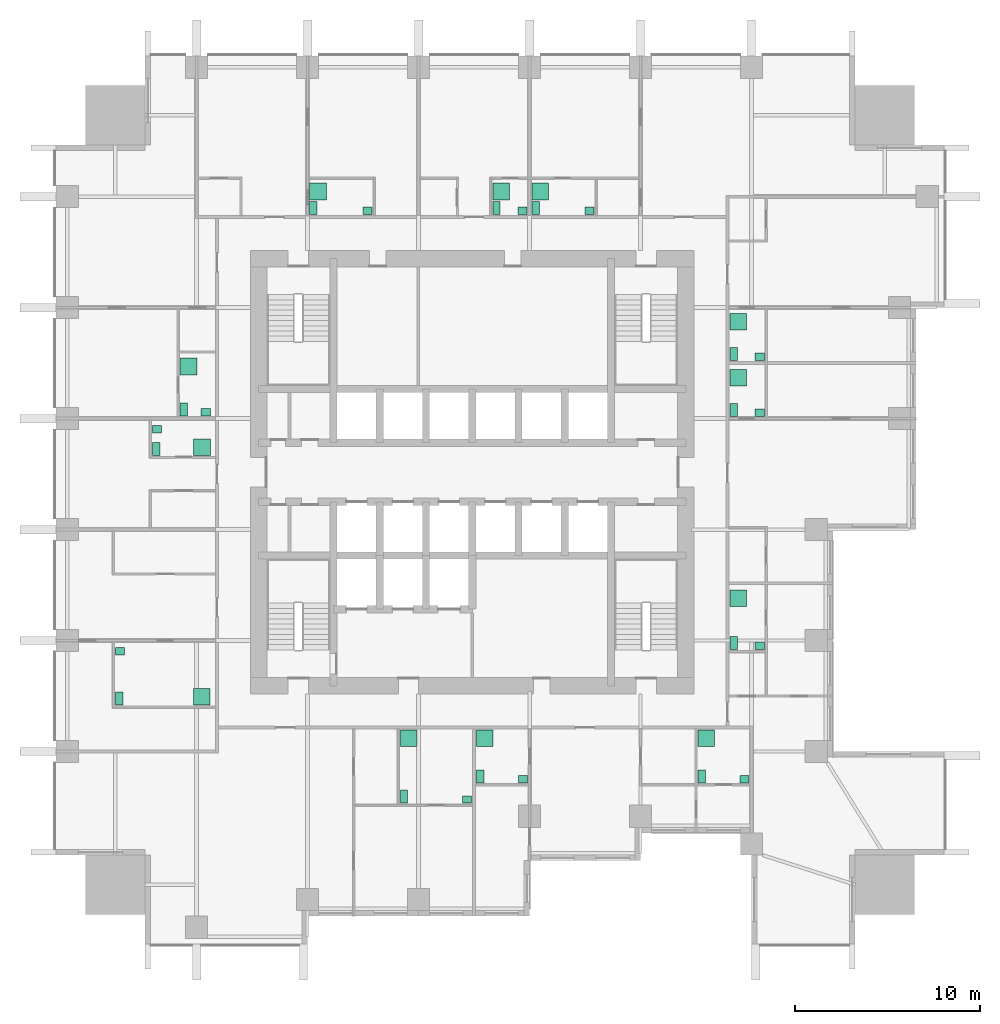
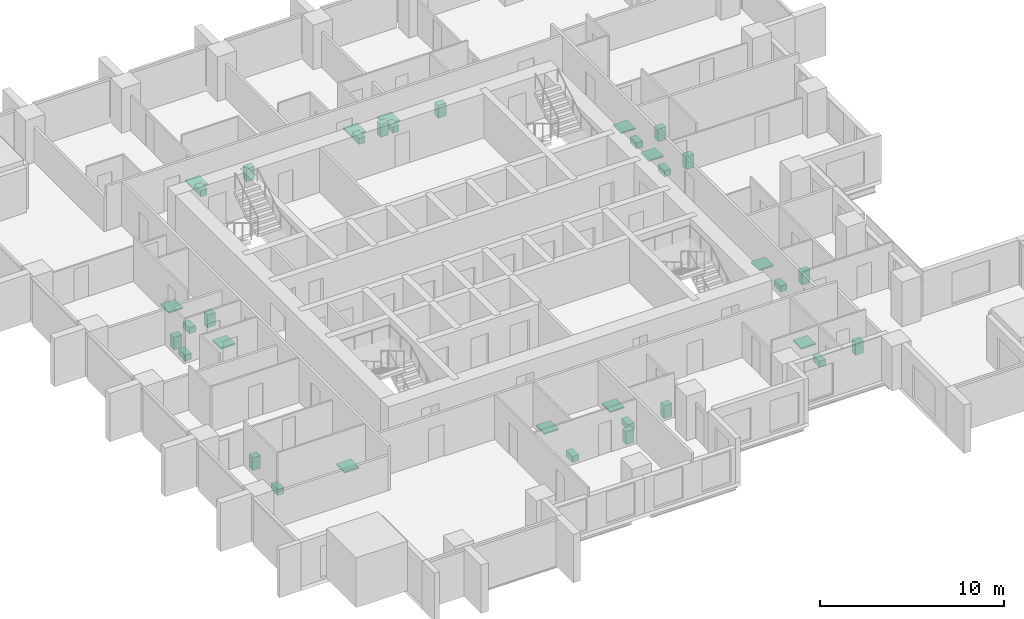
# One storey, part 10 of 10: 36 sanitary terminals.
"""IFC4 building model written with IfcOpenShell, lengths in metres."""

import ifcopenshell
import ifcopenshell.guid

model = None  # the IFC model being written
_history = None  # IfcOwnerHistory: only IFC2X3 demands one
_inside = {}  # id of a spatial element -> (the spatial element, [elements in it])
_under = {}  # id of a project, library or spatial element -> (it, [spatial elements below it])
_declared = {}  # id of a project -> (the project, [libraries it declares])
_typed = {}  # id of a type object -> (the type object, [elements of that type])
_made_of = {}  # id of a material, layer set ... -> (it, [elements and type objects made of it])


def new_model(schema):
    """Start an empty IFC model of exactly this schema.

    Asked for "IFC4X3", IfcOpenShell would pick the latest addendum, in which some entities
    have other attributes; the version numbers below select the first issue.
    IFC2X3 requires an IfcOwnerHistory on every rooted entity: one is made here for all.
    """
    global model, _history
    if schema == "IFC4X3":
        model = ifcopenshell.file(schema_version=(4, 3, 0, 0))
    else:
        model = ifcopenshell.file(schema=schema)
    _inside.clear()
    _under.clear()
    _declared.clear()
    _typed.clear()
    _made_of.clear()
    _history = None
    if model.schema == "IFC2X3":
        org = make("IfcOrganization", Name="unknown")
        user = make(
            "IfcPersonAndOrganization",
            ThePerson=make("IfcPerson", FamilyName="unknown"),
            TheOrganization=org,
        )
        app = make(
            "IfcApplication",
            ApplicationDeveloper=org,
            Version="unknown",
            ApplicationFullName="unknown",
            ApplicationIdentifier="unknown",
        )
        _history = make(
            "IfcOwnerHistory",
            OwningUser=user,
            OwningApplication=app,
            ChangeAction="ADDED",
            CreationDate=0,
        )
    return model


def make(cls, **values):
    """One entity of the class cls with the attributes given. An attribute that is None is left unset."""
    return model.create_entity(
        cls, **{name: value for name, value in values.items() if value is not None}
    )


def rooted(cls, **values):
    """An entity with a GlobalId (a new one), such as an element, a storey or a relation."""
    return make(cls, GlobalId=ifcopenshell.guid.new(), OwnerHistory=_history, **values)


def si_unit(unit_type, name, prefix=None):
    """IfcSIUnit, for example si_unit("LENGTHUNIT", "METRE", prefix="MILLI")."""
    return make("IfcSIUnit", UnitType=unit_type, Prefix=prefix, Name=name)


def assignment(units):
    """IfcUnitAssignment: the units of a project."""
    return None if units is None else make("IfcUnitAssignment", Units=units)


def point(xyz):
    """IfcCartesianPoint."""
    return None if xyz is None else make("IfcCartesianPoint", Coordinates=xyz)


def direction(xyz):
    """IfcDirection."""
    return None if xyz is None else make("IfcDirection", DirectionRatios=xyz)


def frame(location, z_axis=None, x_axis=None):
    """IfcAxis2Placement3D, a coordinate frame: its origin and axes. An axis left out is left unset."""
    return make(
        "IfcAxis2Placement3D",
        Location=point(location),
        Axis=direction(z_axis),
        RefDirection=direction(x_axis),
    )


def frame_2d(location, x_axis=None):
    """IfcAxis2Placement2D, a coordinate frame in the plane: its origin and x axis."""
    return make(
        "IfcAxis2Placement2D", Location=point(location), RefDirection=direction(x_axis)
    )


def origin():
    """The frame at (0, 0, 0) with its axes left unset."""
    return frame((0.0, 0.0, 0.0))


def origin_2d():
    """The frame at (0, 0) in the plane with its x axis left unset."""
    return frame_2d((0.0, 0.0))


def place(relative_to, where):
    """IfcLocalPlacement: puts the frame where relative to a parent placement (None: the world)."""
    return make(
        "IfcLocalPlacement", PlacementRelTo=relative_to, RelativePlacement=where
    )


def context(
    kind, dimensions, precision=None, world=None, true_north=None, identifier=None
):
    """IfcGeometricRepresentationContext, for example the 3D "Model" context."""
    return make(
        "IfcGeometricRepresentationContext",
        ContextIdentifier=identifier,
        ContextType=kind,
        CoordinateSpaceDimension=dimensions,
        Precision=precision,
        WorldCoordinateSystem=world,
        TrueNorth=true_north,
    )


def subcontext(parent, identifier, kind, view, scale=None):
    """IfcGeometricRepresentationSubContext, for example "Body" below "Model"."""
    return make(
        "IfcGeometricRepresentationSubContext",
        ContextIdentifier=identifier,
        ContextType=kind,
        ParentContext=parent,
        TargetScale=scale,
        TargetView=view,
    )


def project(units=None, contexts=None):
    """IfcProject with its units and contexts."""
    return rooted(
        "IfcProject",
        Name="project",
        RepresentationContexts=contexts,
        UnitsInContext=assignment(units),
    )


def spatial(cls, under=None, at=None, **own):
    """A site, building, storey or space (cls), placed at a placement, below another one or the project."""
    s = rooted(cls, ObjectPlacement=at, **own)
    if under is not None:
        _under.setdefault(under.id(), (under, []))[1].append(s)
    return s


def profile(cls, at=None, kind="AREA", **sizes):
    """A parametric profile (cls). Its sizes go by their IFC names, for example OverallWidth=200.0."""
    return make(cls, ProfileType=kind, Position=at, **sizes)


def rectangle(**sizes):
    """IfcRectangleProfileDef."""
    return profile("IfcRectangleProfileDef", **sizes)


def extrude(swept, where, along, depth):
    """IfcExtrudedAreaSolid: the profile swept, set in the frame where, extruded along a direction by depth."""
    return make(
        "IfcExtrudedAreaSolid",
        SweptArea=swept,
        Position=where,
        ExtrudedDirection=direction(along),
        Depth=depth,
    )


def shape(context_of_items, identifier, shape_type, items):
    """IfcShapeRepresentation: the items that make up one representation, for example the "Body"."""
    return make(
        "IfcShapeRepresentation",
        ContextOfItems=context_of_items,
        RepresentationIdentifier=identifier,
        RepresentationType=shape_type,
        Items=items,
    )


def made_of(thing, what):
    """Note that an element or type object is made of a material, layer set ...; save() writes the relation."""
    if what is not None:
        _made_of.setdefault(what.id(), (what, []))[1].append(thing)
    return thing


def element(
    cls,
    number,
    at=None,
    inside=None,
    cuts=None,
    type_object=None,
    material=None,
    context=None,
    identifier="Body",
    shape_type=None,
    held_by="IfcProductDefinitionShape",
    body=None,
    shapes=None,
    **own,
):
    """One element of the class cls, such as IfcWall. Its Tag is "e" and its number.

    at: its placement. inside: the storey or other place that contains it. cuts: it is an
    opening in that element (IfcRelVoidsElement). A single representation is given by context,
    identifier, shape_type and body (its items); several are given by shapes. held_by: the class
    of the entity that holds the representations. save() writes the other relations.
    """
    e = rooted(cls, Tag="e%d" % number, ObjectPlacement=at, **own)
    if body is not None:
        shapes = [shape(context, identifier, shape_type, body)]
    if shapes is not None:
        e.Representation = make(held_by, Representations=shapes)
    if inside is not None:
        _inside.setdefault(inside.id(), (inside, []))[1].append(e)
    if cuts is not None:
        rooted(
            "IfcRelVoidsElement", RelatingBuildingElement=cuts, RelatedOpeningElement=e
        )
    if type_object is not None:
        _typed.setdefault(type_object.id(), (type_object, []))[1].append(e)
    return made_of(e, material)


def aggregate(whole, parts):
    """IfcRelAggregates: a whole, such as a stair, and the parts it consists of."""
    return rooted("IfcRelAggregates", RelatingObject=whole, RelatedObjects=parts)


def save(model, path):
    """Write the relations noted so far, then the file.

    IfcRelAggregates (storeys below a building ...), IfcRelContainedInSpatialStructure (elements
    in a storey), IfcRelDefinesByType, IfcRelAssociatesMaterial and IfcRelDeclares: one each for
    every whole, place, type object, material and project.
    """
    for whole, parts in _under.values():
        aggregate(whole, parts)
    for where, things in _inside.values():
        rooted(
            "IfcRelContainedInSpatialStructure",
            RelatedElements=things,
            RelatingStructure=where,
        )
    for kind, things in _typed.values():
        rooted("IfcRelDefinesByType", RelatedObjects=things, RelatingType=kind)
    for what, things in _made_of.values():
        rooted("IfcRelAssociatesMaterial", RelatedObjects=things, RelatingMaterial=what)
    for by, libraries in _declared.values():
        rooted("IfcRelDeclares", RelatingContext=by, RelatedDefinitions=libraries)
    model.write(path)


model = new_model("IFC4")

# Units and contexts
model_context = context("Model", 3, precision=1e-05, world=origin(), true_north=direction((0.0, 1.0)))
body_context = subcontext(model_context, "Body", "Model", "MODEL_VIEW")
ifc_project = project(units=[si_unit("LENGTHUNIT", "METRE"), si_unit("AREAUNIT", "SQUARE_METRE"), si_unit("VOLUMEUNIT", "CUBIC_METRE"), si_unit("PLANEANGLEUNIT", "RADIAN"), si_unit("MASSUNIT", "GRAM", prefix="KILO")], contexts=[model_context])

# Site, building, storey
site_placement = place(None, origin())
site = spatial("IfcSite", under=ifc_project, at=site_placement, CompositionType="ELEMENT")
building_placement = place(site_placement, origin())
building = spatial("IfcBuilding", under=site, at=building_placement, Name="Amberfall Residences", CompositionType="ELEMENT")
storey_placement = place(building_placement, frame((0.0, 0.0, 66.39990234375)))
storey = spatial("IfcBuildingStorey", under=building, at=storey_placement, Name="L18", CompositionType="ELEMENT", Elevation=66.39990234375)

# Sanitary terminals
sanitary_terminal_1_placement = place(storey_placement, frame((70.81005859375, 27.9599609375, 0.000244140625), z_axis=(0.0, 0.0, 1.0), x_axis=(1.0, 0.0, 0.0)))
element("IfcSanitaryTerminal", 1, at=sanitary_terminal_1_placement, inside=storey, Name="Water closet 1801", PredefinedType="TOILETPAN", context=body_context, shape_type="SweptSolid", body=[
    extrude(rectangle(XDim=0.39990234375, YDim=0.699951171875, at=origin_2d()), origin(), (0.0, 0.0, 1.0), 0.39990234375),
])
sanitary_terminal_2_placement = place(storey_placement, frame((74.215087890625, 27.81005859375, 0.0), z_axis=(0.0, 0.0, 1.0), x_axis=(1.0, 0.0, 0.0)))
element("IfcSanitaryTerminal", 2, at=sanitary_terminal_2_placement, inside=storey, Name="Basin 1801", PredefinedType="WASHHANDBASIN", context=body_context, shape_type="SweptSolid", body=[
    extrude(rectangle(XDim=0.5, YDim=0.39990234375, at=origin_2d()), origin(), (0.0, 0.0, 1.0), 0.85009765625),
])
sanitary_terminal_3_placement = place(storey_placement, frame((71.06005859375, 31.114990234375, 0.0), z_axis=(0.0, 0.0, 1.0), x_axis=(1.0, 0.0, 0.0)))
element("IfcSanitaryTerminal", 3, at=sanitary_terminal_3_placement, inside=storey, Name="Shower tray 1801", PredefinedType="SHOWER", context=body_context, shape_type="SweptSolid", body=[
    extrude(rectangle(XDim=0.89990234375, YDim=0.89990234375, at=origin_2d()), origin(), (0.0, 0.0, 1.0), 0.10009765625),
])
sanitary_terminal_4_placement = place(storey_placement, frame((74.93505859375, 29.06005859375, 0.000244140625), z_axis=(0.0, 0.0, 1.0), x_axis=(1.0, 0.0, 0.0)))
element("IfcSanitaryTerminal", 4, at=sanitary_terminal_4_placement, inside=storey, Name="Water closet 1802", PredefinedType="TOILETPAN", context=body_context, shape_type="SweptSolid", body=[
    extrude(rectangle(XDim=0.39990234375, YDim=0.699951171875, at=origin_2d()), origin(), (0.0, 0.0, 1.0), 0.39990234375),
])
sanitary_terminal_5_placement = place(storey_placement, frame((77.239990234375, 28.909912109375, 0.0), z_axis=(0.0, 0.0, 1.0), x_axis=(1.0, 0.0, 0.0)))
element("IfcSanitaryTerminal", 5, at=sanitary_terminal_5_placement, inside=storey, Name="Basin 1802", PredefinedType="WASHHANDBASIN", context=body_context, shape_type="SweptSolid", body=[
    extrude(rectangle(XDim=0.5, YDim=0.39990234375, at=origin_2d()), origin(), (0.0, 0.0, 1.0), 0.85009765625),
])
sanitary_terminal_6_placement = place(storey_placement, frame((75.18505859375, 31.114990234375, 0.0), z_axis=(0.0, 0.0, 1.0), x_axis=(1.0, 0.0, 0.0)))
element("IfcSanitaryTerminal", 6, at=sanitary_terminal_6_placement, inside=storey, Name="Shower tray 1802", PredefinedType="SHOWER", context=body_context, shape_type="SweptSolid", body=[
    extrude(rectangle(XDim=0.89990234375, YDim=0.89990234375, at=origin_2d()), origin(), (0.0, 0.0, 1.0), 0.10009765625),
])
sanitary_terminal_7_placement = place(storey_placement, frame((86.909912109375, 29.06005859375, 0.000244140625), z_axis=(0.0, 0.0, 1.0), x_axis=(1.0, 0.0, 0.0)))
element("IfcSanitaryTerminal", 7, at=sanitary_terminal_7_placement, inside=storey, Name="Water closet 1802", PredefinedType="TOILETPAN", context=body_context, shape_type="SweptSolid", body=[
    extrude(rectangle(XDim=0.39990234375, YDim=0.699951171875, at=origin_2d()), origin(), (0.0, 0.0, 1.0), 0.39990234375),
])
sanitary_terminal_8_placement = place(storey_placement, frame((89.215087890625, 28.909912109375, 0.0), z_axis=(0.0, 0.0, 1.0), x_axis=(1.0, 0.0, 0.0)))
element("IfcSanitaryTerminal", 8, at=sanitary_terminal_8_placement, inside=storey, Name="Basin 1802", PredefinedType="WASHHANDBASIN", context=body_context, shape_type="SweptSolid", body=[
    extrude(rectangle(XDim=0.5, YDim=0.39990234375, at=origin_2d()), origin(), (0.0, 0.0, 1.0), 0.85009765625),
])
sanitary_terminal_9_placement = place(storey_placement, frame((87.159912109375, 31.114990234375, 0.0), z_axis=(0.0, 0.0, 1.0), x_axis=(1.0, 0.0, 0.0)))
element("IfcSanitaryTerminal", 9, at=sanitary_terminal_9_placement, inside=storey, Name="Shower tray 1802", PredefinedType="SHOWER", context=body_context, shape_type="SweptSolid", body=[
    extrude(rectangle(XDim=0.89990234375, YDim=0.89990234375, at=origin_2d()), origin(), (0.0, 0.0, 1.0), 0.10009765625),
])
sanitary_terminal_10_placement = place(storey_placement, frame((88.635009765625, 36.260009765625, 0.000244140625), z_axis=(0.0, 0.0, 1.0), x_axis=(1.0, 0.0, 0.0)))
element("IfcSanitaryTerminal", 10, at=sanitary_terminal_10_placement, inside=storey, Name="Water closet 1803", PredefinedType="TOILETPAN", context=body_context, shape_type="SweptSolid", body=[
    extrude(rectangle(XDim=0.39990234375, YDim=0.699951171875, at=origin_2d()), origin(), (0.0, 0.0, 1.0), 0.39990234375),
])
sanitary_terminal_11_placement = place(storey_placement, frame((90.0400390625, 36.110107421875, 0.0), z_axis=(0.0, 0.0, 1.0), x_axis=(1.0, 0.0, 0.0)))
element("IfcSanitaryTerminal", 11, at=sanitary_terminal_11_placement, inside=storey, Name="Basin 1803", PredefinedType="WASHHANDBASIN", context=body_context, shape_type="SweptSolid", body=[
    extrude(rectangle(XDim=0.5, YDim=0.39990234375, at=origin_2d()), origin(), (0.0, 0.0, 1.0), 0.85009765625),
])
sanitary_terminal_12_placement = place(storey_placement, frame((88.885009765625, 38.6826171875, 0.0), z_axis=(0.0, 0.0, 1.0), x_axis=(1.0, 0.0, 0.0)))
element("IfcSanitaryTerminal", 12, at=sanitary_terminal_12_placement, inside=storey, Name="Shower tray 1803", PredefinedType="SHOWER", context=body_context, shape_type="SweptSolid", body=[
    extrude(rectangle(XDim=0.89990234375, YDim=0.89990234375, at=origin_2d()), origin(), (0.0, 0.0, 1.0), 0.10009765625),
])
sanitary_terminal_13_placement = place(storey_placement, frame((88.635009765625, 48.860107421875, 0.000244140625), z_axis=(0.0, 0.0, 1.0), x_axis=(1.0, 0.0, 0.0)))
element("IfcSanitaryTerminal", 13, at=sanitary_terminal_13_placement, inside=storey, Name="Water closet 1804", PredefinedType="TOILETPAN", context=body_context, shape_type="SweptSolid", body=[
    extrude(rectangle(XDim=0.39990234375, YDim=0.699951171875, at=origin_2d()), origin(), (0.0, 0.0, 1.0), 0.39990234375),
])
sanitary_terminal_14_placement = place(storey_placement, frame((90.0400390625, 48.7099609375, 0.0), z_axis=(0.0, 0.0, 1.0), x_axis=(1.0, 0.0, 0.0)))
element("IfcSanitaryTerminal", 14, at=sanitary_terminal_14_placement, inside=storey, Name="Basin 1804", PredefinedType="WASHHANDBASIN", context=body_context, shape_type="SweptSolid", body=[
    extrude(rectangle(XDim=0.5, YDim=0.39990234375, at=origin_2d()), origin(), (0.0, 0.0, 1.0), 0.85009765625),
])
sanitary_terminal_15_placement = place(storey_placement, frame((88.885009765625, 50.60888671875, 0.0), z_axis=(0.0, 0.0, 1.0), x_axis=(1.0, 0.0, 0.0)))
element("IfcSanitaryTerminal", 15, at=sanitary_terminal_15_placement, inside=storey, Name="Shower tray 1804", PredefinedType="SHOWER", context=body_context, shape_type="SweptSolid", body=[
    extrude(rectangle(XDim=0.89990234375, YDim=0.89990234375, at=origin_2d()), origin(), (0.0, 0.0, 1.0), 0.10009765625),
])
sanitary_terminal_16_placement = place(storey_placement, frame((88.635009765625, 51.885009765625, 0.000244140625), z_axis=(0.0, 0.0, 1.0), x_axis=(1.0, 0.0, 0.0)))
element("IfcSanitaryTerminal", 16, at=sanitary_terminal_16_placement, inside=storey, Name="Water closet 1805", PredefinedType="TOILETPAN", context=body_context, shape_type="SweptSolid", body=[
    extrude(rectangle(XDim=0.39990234375, YDim=0.699951171875, at=origin_2d()), origin(), (0.0, 0.0, 1.0), 0.39990234375),
])
sanitary_terminal_17_placement = place(storey_placement, frame((90.0400390625, 51.735107421875, 0.0), z_axis=(0.0, 0.0, 1.0), x_axis=(1.0, 0.0, 0.0)))
element("IfcSanitaryTerminal", 17, at=sanitary_terminal_17_placement, inside=storey, Name="Basin 1805", PredefinedType="WASHHANDBASIN", context=body_context, shape_type="SweptSolid", body=[
    extrude(rectangle(XDim=0.5, YDim=0.39990234375, at=origin_2d()), origin(), (0.0, 0.0, 1.0), 0.85009765625),
])
sanitary_terminal_18_placement = place(storey_placement, frame((88.885009765625, 53.6337890625, 0.0), z_axis=(0.0, 0.0, 1.0), x_axis=(1.0, 0.0, 0.0)))
element("IfcSanitaryTerminal", 18, at=sanitary_terminal_18_placement, inside=storey, Name="Shower tray 1805", PredefinedType="SHOWER", context=body_context, shape_type="SweptSolid", body=[
    extrude(rectangle(XDim=0.89990234375, YDim=0.89990234375, at=origin_2d()), origin(), (0.0, 0.0, 1.0), 0.10009765625),
])
sanitary_terminal_19_placement = place(storey_placement, frame((65.909912109375, 59.784912109375, 0.000244140625), z_axis=(0.0, 0.0, 1.0), x_axis=(1.0, 0.0, 0.0)))
element("IfcSanitaryTerminal", 19, at=sanitary_terminal_19_placement, inside=storey, Name="Water closet 1806", PredefinedType="TOILETPAN", context=body_context, shape_type="SweptSolid", body=[
    extrude(rectangle(XDim=0.39990234375, YDim=0.699951171875, at=origin_2d()), origin(), (0.0, 0.0, 1.0), 0.39990234375),
])
sanitary_terminal_20_placement = place(storey_placement, frame((68.840087890625, 59.635009765625, 0.0), z_axis=(0.0, 0.0, 1.0), x_axis=(1.0, 0.0, 0.0)))
element("IfcSanitaryTerminal", 20, at=sanitary_terminal_20_placement, inside=storey, Name="Basin 1806", PredefinedType="WASHHANDBASIN", context=body_context, shape_type="SweptSolid", body=[
    extrude(rectangle(XDim=0.5, YDim=0.39990234375, at=origin_2d()), origin(), (0.0, 0.0, 1.0), 0.85009765625),
])
sanitary_terminal_21_placement = place(storey_placement, frame((66.159912109375, 60.680908203125, 0.0), z_axis=(0.0, 0.0, 1.0), x_axis=(1.0, 0.0, 0.0)))
element("IfcSanitaryTerminal", 21, at=sanitary_terminal_21_placement, inside=storey, Name="Shower tray 1806", PredefinedType="SHOWER", context=body_context, shape_type="SweptSolid", body=[
    extrude(rectangle(XDim=0.89990234375, YDim=0.89990234375, at=origin_2d()), origin(), (0.0, 0.0, 1.0), 0.10009765625),
])
sanitary_terminal_22_placement = place(storey_placement, frame((75.81005859375, 59.784912109375, 0.000244140625), z_axis=(0.0, 0.0, 1.0), x_axis=(1.0, 0.0, 0.0)))
element("IfcSanitaryTerminal", 22, at=sanitary_terminal_22_placement, inside=storey, Name="Water closet 1807", PredefinedType="TOILETPAN", context=body_context, shape_type="SweptSolid", body=[
    extrude(rectangle(XDim=0.39990234375, YDim=0.699951171875, at=origin_2d()), origin(), (0.0, 0.0, 1.0), 0.39990234375),
])
sanitary_terminal_23_placement = place(storey_placement, frame((77.215087890625, 59.635009765625, 0.0), z_axis=(0.0, 0.0, 1.0), x_axis=(1.0, 0.0, 0.0)))
element("IfcSanitaryTerminal", 23, at=sanitary_terminal_23_placement, inside=storey, Name="Basin 1807", PredefinedType="WASHHANDBASIN", context=body_context, shape_type="SweptSolid", body=[
    extrude(rectangle(XDim=0.5, YDim=0.39990234375, at=origin_2d()), origin(), (0.0, 0.0, 1.0), 0.85009765625),
])
sanitary_terminal_24_placement = place(storey_placement, frame((76.06005859375, 60.680908203125, 0.0), z_axis=(0.0, 0.0, 1.0), x_axis=(1.0, 0.0, 0.0)))
element("IfcSanitaryTerminal", 24, at=sanitary_terminal_24_placement, inside=storey, Name="Shower tray 1807", PredefinedType="SHOWER", context=body_context, shape_type="SweptSolid", body=[
    extrude(rectangle(XDim=0.89990234375, YDim=0.89990234375, at=origin_2d()), origin(), (0.0, 0.0, 1.0), 0.10009765625),
])
sanitary_terminal_25_placement = place(storey_placement, frame((77.93505859375, 59.784912109375, 0.000244140625), z_axis=(0.0, 0.0, 1.0), x_axis=(1.0, 0.0, 0.0)))
element("IfcSanitaryTerminal", 25, at=sanitary_terminal_25_placement, inside=storey, Name="Water closet 1808", PredefinedType="TOILETPAN", context=body_context, shape_type="SweptSolid", body=[
    extrude(rectangle(XDim=0.39990234375, YDim=0.699951171875, at=origin_2d()), origin(), (0.0, 0.0, 1.0), 0.39990234375),
])
sanitary_terminal_26_placement = place(storey_placement, frame((80.840087890625, 59.635009765625, 0.0), z_axis=(0.0, 0.0, 1.0), x_axis=(1.0, 0.0, 0.0)))
element("IfcSanitaryTerminal", 26, at=sanitary_terminal_26_placement, inside=storey, Name="Basin 1808", PredefinedType="WASHHANDBASIN", context=body_context, shape_type="SweptSolid", body=[
    extrude(rectangle(XDim=0.5, YDim=0.39990234375, at=origin_2d()), origin(), (0.0, 0.0, 1.0), 0.85009765625),
])
sanitary_terminal_27_placement = place(storey_placement, frame((78.18505859375, 60.680908203125, 0.0), z_axis=(0.0, 0.0, 1.0), x_axis=(1.0, 0.0, 0.0)))
element("IfcSanitaryTerminal", 27, at=sanitary_terminal_27_placement, inside=storey, Name="Shower tray 1808", PredefinedType="SHOWER", context=body_context, shape_type="SweptSolid", body=[
    extrude(rectangle(XDim=0.89990234375, YDim=0.89990234375, at=origin_2d()), origin(), (0.0, 0.0, 1.0), 0.10009765625),
])
sanitary_terminal_28_placement = place(storey_placement, frame((55.409912109375, 33.260009765625, 0.000244140625), z_axis=(0.0, 0.0, 1.0), x_axis=(1.0, 0.0, 0.0)))
element("IfcSanitaryTerminal", 28, at=sanitary_terminal_28_placement, inside=storey, Name="Water closet 1809", PredefinedType="TOILETPAN", context=body_context, shape_type="SweptSolid", body=[
    extrude(rectangle(XDim=0.39990234375, YDim=0.699951171875, at=origin_2d()), origin(), (0.0, 0.0, 1.0), 0.39990234375),
])
sanitary_terminal_29_placement = place(storey_placement, frame((55.4599609375, 35.819091796875, 0.0), z_axis=(0.0, 0.0, 1.0), x_axis=(1.0, 0.0, 0.0)))
element("IfcSanitaryTerminal", 29, at=sanitary_terminal_29_placement, inside=storey, Name="Basin 1809", PredefinedType="WASHHANDBASIN", context=body_context, shape_type="SweptSolid", body=[
    extrude(rectangle(XDim=0.5, YDim=0.39990234375, at=origin_2d()), origin(), (0.0, 0.0, 1.0), 0.85009765625),
])
sanitary_terminal_30_placement = place(storey_placement, frame((59.867431640625, 33.360107421875, 0.0), z_axis=(0.0, 0.0, 1.0), x_axis=(1.0, 0.0, 0.0)))
element("IfcSanitaryTerminal", 30, at=sanitary_terminal_30_placement, inside=storey, Name="Shower tray 1809", PredefinedType="SHOWER", context=body_context, shape_type="SweptSolid", body=[
    extrude(rectangle(XDim=0.89990234375, YDim=0.89990234375, at=origin_2d()), origin(), (0.0, 0.0, 1.0), 0.10009765625),
])
sanitary_terminal_31_placement = place(storey_placement, frame((57.409912109375, 46.760009765625, 0.000244140625), z_axis=(0.0, 0.0, 1.0), x_axis=(1.0, 0.0, 0.0)))
element("IfcSanitaryTerminal", 31, at=sanitary_terminal_31_placement, inside=storey, Name="Water closet 1810", PredefinedType="TOILETPAN", context=body_context, shape_type="SweptSolid", body=[
    extrude(rectangle(XDim=0.39990234375, YDim=0.699951171875, at=origin_2d()), origin(), (0.0, 0.0, 1.0), 0.39990234375),
])
sanitary_terminal_32_placement = place(storey_placement, frame((57.4599609375, 47.822509765625, 0.0), z_axis=(0.0, 0.0, 1.0), x_axis=(1.0, 0.0, 0.0)))
element("IfcSanitaryTerminal", 32, at=sanitary_terminal_32_placement, inside=storey, Name="Basin 1810", PredefinedType="WASHHANDBASIN", context=body_context, shape_type="SweptSolid", body=[
    extrude(rectangle(XDim=0.5, YDim=0.39990234375, at=origin_2d()), origin(), (0.0, 0.0, 1.0), 0.85009765625),
])
sanitary_terminal_33_placement = place(storey_placement, frame((59.891845703125, 46.860107421875, 0.0), z_axis=(0.0, 0.0, 1.0), x_axis=(1.0, 0.0, 0.0)))
element("IfcSanitaryTerminal", 33, at=sanitary_terminal_33_placement, inside=storey, Name="Shower tray 1810", PredefinedType="SHOWER", context=body_context, shape_type="SweptSolid", body=[
    extrude(rectangle(XDim=0.89990234375, YDim=0.89990234375, at=origin_2d()), origin(), (0.0, 0.0, 1.0), 0.10009765625),
])
sanitary_terminal_34_placement = place(storey_placement, frame((58.909912109375, 48.885009765625, 0.000244140625), z_axis=(0.0, 0.0, 1.0), x_axis=(1.0, 0.0, 0.0)))
element("IfcSanitaryTerminal", 34, at=sanitary_terminal_34_placement, inside=storey, Name="Water closet 1811", PredefinedType="TOILETPAN", context=body_context, shape_type="SweptSolid", body=[
    extrude(rectangle(XDim=0.39990234375, YDim=0.699951171875, at=origin_2d()), origin(), (0.0, 0.0, 1.0), 0.39990234375),
])
sanitary_terminal_35_placement = place(storey_placement, frame((60.089111328125, 48.735107421875, 0.0), z_axis=(0.0, 0.0, 1.0), x_axis=(1.0, 0.0, 0.0)))
element("IfcSanitaryTerminal", 35, at=sanitary_terminal_35_placement, inside=storey, Name="Basin 1811", PredefinedType="WASHHANDBASIN", context=body_context, shape_type="SweptSolid", body=[
    extrude(rectangle(XDim=0.5, YDim=0.39990234375, at=origin_2d()), origin(), (0.0, 0.0, 1.0), 0.85009765625),
])
sanitary_terminal_36_placement = place(storey_placement, frame((59.159912109375, 51.216796875, 0.0), z_axis=(0.0, 0.0, 1.0), x_axis=(1.0, 0.0, 0.0)))
element("IfcSanitaryTerminal", 36, at=sanitary_terminal_36_placement, inside=storey, Name="Shower tray 1811", PredefinedType="SHOWER", context=body_context, shape_type="SweptSolid", body=[
    extrude(rectangle(XDim=0.89990234375, YDim=0.89990234375, at=origin_2d()), origin(), (0.0, 0.0, 1.0), 0.10009765625),
])

save(model, "model.ifc")
